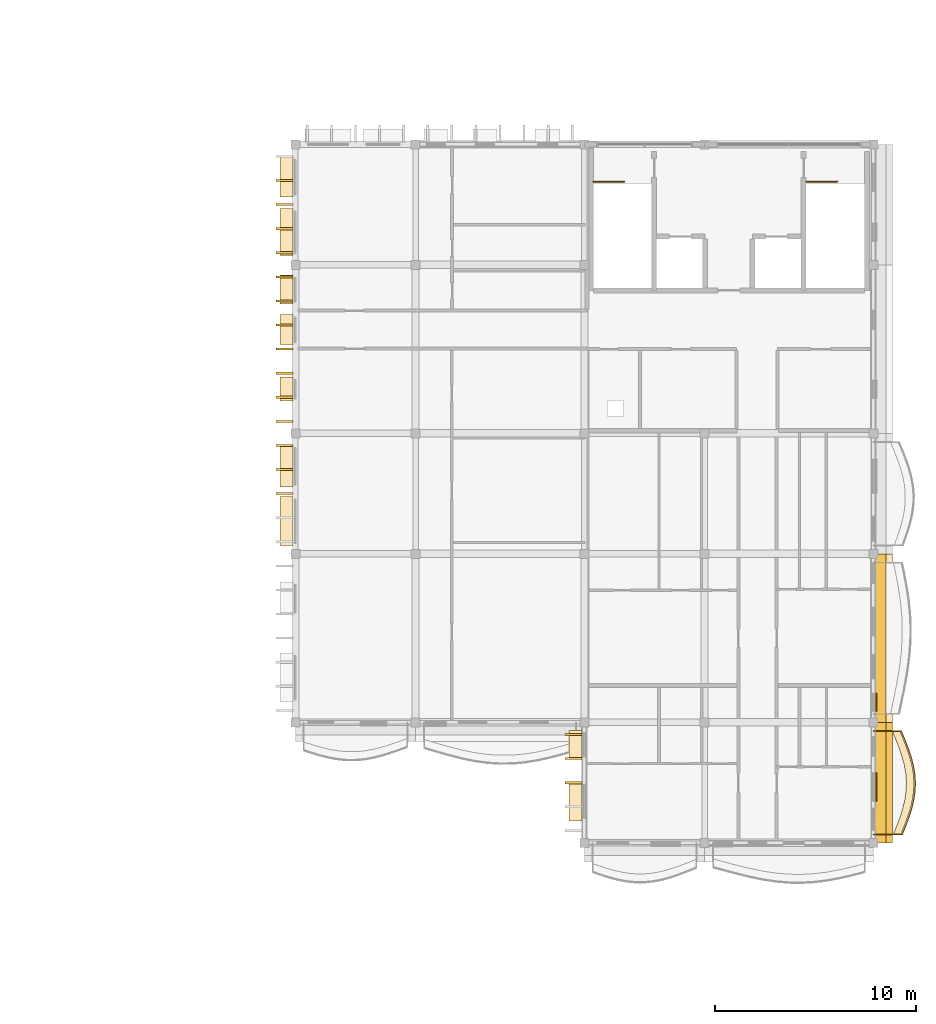
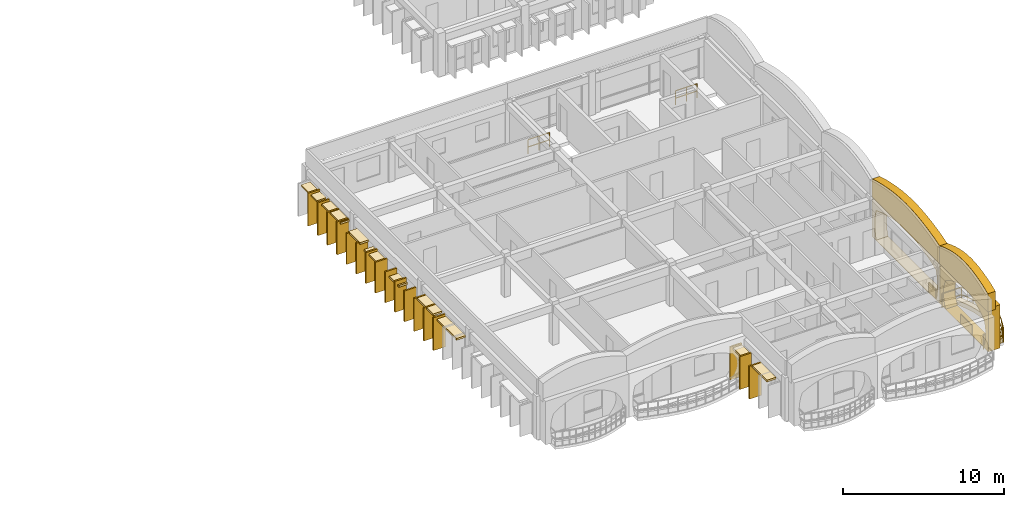
# One storey, part 53 of 59: 33 coverings, 3 railings.
"""IFC4 building model written with IfcOpenShell, lengths in metres."""

from ifc_helpers import new_model, si_unit, direction, frame, origin, origin_2d, place, context, subcontext, project, spatial, polyline, rectangle, outline, extrude, material, layer, layer_set, type_object, element, save


model = new_model("IFC4")

# Units and contexts
model_context = context("Model", 3, precision=1e-05, world=origin(), true_north=direction((0.0, 1.0)))
body_context = subcontext(model_context, "Body", "Model", "MODEL_VIEW")
ifc_project = project(units=[si_unit("LENGTHUNIT", "METRE"), si_unit("AREAUNIT", "SQUARE_METRE"), si_unit("VOLUMEUNIT", "CUBIC_METRE"), si_unit("PLANEANGLEUNIT", "RADIAN"), si_unit("MASSUNIT", "GRAM", prefix="KILO"), si_unit("THERMODYNAMICTEMPERATUREUNIT", "KELVIN")], contexts=[model_context])

# Site, building, storey
site_placement = place(None, origin())
site = spatial("IfcSite", under=ifc_project, at=site_placement, CompositionType="ELEMENT")
building_placement = place(site_placement, origin())
building = spatial("IfcBuilding", under=site, at=building_placement, Name="Thalorik Housing Commons", CompositionType="ELEMENT")
storey_placement = place(building_placement, frame((0.0, 0.0, 27.89990234375)))
storey = spatial("IfcBuildingStorey", under=building, at=storey_placement, Name="L08", CompositionType="ELEMENT", Elevation=27.89990234375)

# Coverings
ifc_material_1 = material(Name="Cobalt blue glazed ceramic facade tile panel", Category="masonry")
ifc_layer_1 = layer(ifc_material_1, 0.06005859375, Name="Cobalt blue glazed ceramic facade tile panel", Category="masonry")
ifc_layer_set_1 = layer_set([ifc_layer_1], Name="Cobalt blue glazed ceramic facade tile panel")
covering_type_1 = type_object("IfcCoveringType", Name="ARC-CLD-BLU-60", PredefinedType="CLADDING", material=ifc_layer_set_1)
covering_1_placement = place(storey_placement, frame((166.947509765625, 44.215087890625, 0.05029296875), z_axis=(0.0, 0.0, 1.0), x_axis=(0.0, 1.0, 0.0)))
element("IfcCovering", 1, at=covering_1_placement, inside=storey, type_object=covering_type_1, Name="L08 De Stijl Recessed Window Spandrel 5112", PredefinedType="CLADDING", context=body_context, shape_type="SweptSolid", body=[
    extrude(rectangle(XDim=0.89990234375, YDim=0.06005859375, at=origin_2d()), origin(), (0.0, 0.0, 1.0), 0.699951171875),
])
ifc_material_2 = material(Name="Precast concrete C40/50", Category="concrete")
ifc_layer_2 = layer(ifc_material_2, 0.85009765625, Name="Precast concrete C40/50", Category="concrete")
ifc_layer_set_2 = layer_set([ifc_layer_2], Name="Precast concrete C40/50")
covering_type_2 = type_object("IfcCoveringType", Name="ARC-CLD-CUSH-850", PredefinedType="CLADDING", material=ifc_layer_set_2)
covering_2_placement = place(storey_placement, frame((167.33740234375, 40.199951171875, 0.0), z_axis=(0.0, 0.0, 1.0), x_axis=(0.0, 1.0, 0.0)))
element("IfcCovering", 2, at=covering_2_placement, inside=storey, type_object=covering_type_2, Name="L08 White Precast Curved Cushion Bay Frame 5109", PredefinedType="CLADDING", context=body_context, shape_type="SweptSolid", body=[
    extrude(outline(polyline([(-3.0, 0.0), (3.0, 0.0), (3.0, 3.300048828125), (-3.0, 3.300048828125), (-3.0, 0.0)]), holes=[polyline([(2.3271484375, 0.02490234375), (2.46923828125, 0.387451171875), (2.554443359375, 0.75), (2.5830078125, 1.112548828125), (2.554443359375, 1.47509765625), (2.46923828125, 1.83740234375), (2.3271484375, 2.199951171875), (1.930908203125, 2.455810546875), (1.5341796875, 2.656494140625), (1.137939453125, 2.819091796875), (0.741455078125, 2.940185546875), (0.344970703125, 3.014892578125), (-0.051513671875, 3.0400390625), (-0.44775390625, 3.014892578125), (-0.84423828125, 2.940185546875), (-1.24072265625, 2.819091796875), (-1.63720703125, 2.656494140625), (-2.03369140625, 2.455810546875), (-2.429931640625, 2.199951171875), (-2.55029296875, 1.83740234375), (-2.62255859375, 1.47509765625), (-2.646484375, 1.112548828125), (-2.62255859375, 0.75), (-2.55029296875, 0.387451171875), (-2.429931640625, 0.02490234375), (2.3271484375, 0.02490234375)])]), frame((0.0, 0.425048828125, 0.0), z_axis=(0.0, -1.0, 0.0), x_axis=(1.0, 0.0, 0.0)), (0.0, 0.0, 1.0), 0.85009765625),
])
covering_3_placement = place(storey_placement, frame((167.33740234375, 47.39990234375, 0.0), z_axis=(0.0, 0.0, 1.0), x_axis=(0.0, 1.0, 0.0)))
element("IfcCovering", 3, at=covering_3_placement, inside=storey, type_object=covering_type_2, Name="L08 White Precast Curved Cushion Bay Frame 5111", PredefinedType="CLADDING", context=body_context, shape_type="SweptSolid", body=[
    extrude(outline(polyline([(-4.199951171875, 0.0), (4.199951171875, 0.0), (4.199951171875, 3.300048828125), (-4.199951171875, 3.300048828125), (-4.199951171875, 0.0)]), holes=[polyline([(3.77294921875, 0.02490234375), (3.863037109375, 0.399169921875), (3.917236328125, 0.773193359375), (3.935302734375, 1.1474609375), (3.917236328125, 1.521728515625), (3.863037109375, 1.895751953125), (3.77294921875, 2.27001953125), (3.151611328125, 2.50439453125), (2.530029296875, 2.6884765625), (1.908447265625, 2.837646484375), (1.287109375, 2.948486328125), (0.66552734375, 3.016845703125), (0.0439453125, 3.0400390625), (-0.577392578125, 3.016845703125), (-1.198974609375, 2.948486328125), (-1.820556640625, 2.837646484375), (-2.44189453125, 2.6884765625), (-3.0634765625, 2.50439453125), (-3.68505859375, 2.27001953125), (-3.793701171875, 1.895751953125), (-3.85888671875, 1.521728515625), (-3.880615234375, 1.1474609375), (-3.85888671875, 0.773193359375), (-3.793701171875, 0.399169921875), (-3.68505859375, 0.02490234375), (3.77294921875, 0.02490234375)])]), frame((0.0, 0.425048828125, 0.0), z_axis=(0.0, -1.0, 0.0), x_axis=(1.0, 0.0, 0.0)), (0.0, 0.0, 1.0), 0.85009765625),
])
ifc_layer_3 = layer(ifc_material_2, 0.85009765625, Name="Precast concrete C40/50", Category="concrete")
ifc_layer_set_3 = layer_set([ifc_layer_3], Name="Precast concrete C40/50")
covering_type_3 = type_object("IfcCoveringType", Name="ARC-CLD-FIN-850", PredefinedType="CLADDING", material=ifc_layer_set_3)
for number, where, z_axis, x_axis, name in (
    (4, (137.46240234375, 70.199951171875, 0.0400390625), (0.0, 0.0, 1.0), (0.0, -1.0, 0.0), "L08 Courtyard Precast Vertical Brise-Soleil Fin 5062"),
    (5, (137.46240234375, 69.0, 0.0400390625), (0.0, 0.0, 1.0), (0.0, -1.0, 0.0), "L08 Courtyard Precast Vertical Brise-Soleil Fin 5063"),
    (6, (137.46240234375, 67.800048828125, 0.0400390625), (0.0, 0.0, 1.0), (0.0, -1.0, 0.0), "L08 Courtyard Precast Vertical Brise-Soleil Fin 5064"),
    (7, (137.46240234375, 66.60009765625, 0.0400390625), (0.0, 0.0, 1.0), (0.0, -1.0, 0.0), "L08 Courtyard Precast Vertical Brise-Soleil Fin 5065"),
):
    element("IfcCovering", number, at=place(storey_placement, frame(where, z_axis=z_axis, x_axis=x_axis)), inside=storey, type_object=covering_type_3, Name=name, PredefinedType="CLADDING", context=body_context, shape_type="SweptSolid", body=[
        extrude(rectangle(XDim=0.110107421875, YDim=0.85009765625, at=origin_2d()), origin(), (0.0, 0.0, 1.0), 2.4951171875),
    ])
for number, where, z_axis, x_axis, name in (
    (8, (137.46240234375, 65.39990234375, 0.0400390625), (0.0, 0.0, 1.0), (0.0, -1.0, 0.0), "L08 Courtyard Precast Vertical Brise-Soleil Fin 5068"),
    (9, (137.46240234375, 64.199951171875, 0.0400390625), (0.0, 0.0, 1.0), (0.0, -1.0, 0.0), "L08 Courtyard Precast Vertical Brise-Soleil Fin 5069"),
    (10, (137.46240234375, 63.0, 0.0400390625), (0.0, 0.0, 1.0), (0.0, -1.0, 0.0), "L08 Courtyard Precast Vertical Brise-Soleil Fin 5070"),
    (11, (137.46240234375, 61.800048828125, 0.0400390625), (0.0, 0.0, 1.0), (0.0, -1.0, 0.0), "L08 Courtyard Precast Vertical Brise-Soleil Fin 5071"),
    (12, (137.46240234375, 60.60009765625, 0.0400390625), (0.0, 0.0, 1.0), (0.0, -1.0, 0.0), "L08 Courtyard Precast Vertical Brise-Soleil Fin 5072"),
    (13, (137.46240234375, 59.39990234375, 0.0400390625), (0.0, 0.0, 1.0), (0.0, -1.0, 0.0), "L08 Courtyard Precast Vertical Brise-Soleil Fin 5073"),
    (14, (137.46240234375, 58.199951171875, 0.0400390625), (0.0, 0.0, 1.0), (0.0, -1.0, 0.0), "L08 Courtyard Precast Vertical Brise-Soleil Fin 5074"),
):
    element("IfcCovering", number, at=place(storey_placement, frame(where, z_axis=z_axis, x_axis=x_axis)), inside=storey, type_object=covering_type_3, Name=name, PredefinedType="CLADDING", context=body_context, shape_type="SweptSolid", body=[
        extrude(rectangle(XDim=0.110107421875, YDim=0.85009765625, at=origin_2d()), origin(), (0.0, 0.0, 1.0), 2.344970703125),
    ])
for number, where, z_axis, x_axis, name in (
    (15, (137.46240234375, 57.0, 0.0400390625), (0.0, 0.0, 1.0), (0.0, -1.0, 0.0), "L08 Courtyard Precast Vertical Brise-Soleil Fin 5078"),
    (16, (137.46240234375, 55.800048828125, 0.0400390625), (0.0, 0.0, 1.0), (0.0, -1.0, 0.0), "L08 Courtyard Precast Vertical Brise-Soleil Fin 5079"),
    (17, (137.46240234375, 54.60009765625, 0.0400390625), (0.0, 0.0, 1.0), (0.0, -1.0, 0.0), "L08 Courtyard Precast Vertical Brise-Soleil Fin 5080"),
    (18, (151.862548828125, 42.60009765625, 0.0400390625), (0.0, 0.0, 1.0), (0.0, -1.0, 0.0), "L08 Courtyard Precast Vertical Brise-Soleil Fin 5098"),
    (19, (151.862548828125, 41.39990234375, 0.0400390625), (0.0, 0.0, 1.0), (0.0, -1.0, 0.0), "L08 Courtyard Precast Vertical Brise-Soleil Fin 5099"),
    (20, (151.862548828125, 40.199951171875, 0.0400390625), (0.0, 0.0, 1.0), (0.0, -1.0, 0.0), "L08 Courtyard Precast Vertical Brise-Soleil Fin 5100"),
):
    element("IfcCovering", number, at=place(storey_placement, frame(where, z_axis=z_axis, x_axis=x_axis)), inside=storey, type_object=covering_type_3, Name=name, PredefinedType="CLADDING", context=body_context, shape_type="SweptSolid", body=[
        extrude(rectangle(XDim=0.110107421875, YDim=0.85009765625, at=origin_2d()), origin(), (0.0, 0.0, 1.0), 2.4951171875),
    ])
ifc_layer_4 = layer(ifc_material_2, 0.64990234375, Name="Precast concrete C40/50", Category="concrete")
ifc_layer_set_4 = layer_set([ifc_layer_4], Name="Precast concrete C40/50")
covering_type_4 = type_object("IfcCoveringType", Name="ARC-CLD-HOOD-650", PredefinedType="CLADDING", material=ifc_layer_set_4)
covering_4_placement = place(storey_placement, frame((137.5625, 70.3701171875, 2.240234375), z_axis=(0.0, 0.0, 1.0), x_axis=(0.0, -1.0, 0.0)))
element("IfcCovering", 21, at=covering_4_placement, inside=storey, type_object=covering_type_4, Name="L08 Courtyard Precast Window Sun-Hood 5066", PredefinedType="CLADDING", context=body_context, shape_type="SweptSolid", body=[
    extrude(rectangle(XDim=1.989990234375, YDim=0.64990234375, at=origin_2d()), origin(), (0.0, 0.0, 1.0), 0.139892578125),
])
covering_5_placement = place(storey_placement, frame((137.5625, 67.6298828125, 2.34033203125), z_axis=(0.0, 0.0, 1.0), x_axis=(0.0, -1.0, 0.0)))
element("IfcCovering", 22, at=covering_5_placement, inside=storey, type_object=covering_type_4, Name="L08 Courtyard Precast Window Sun-Hood 5067", PredefinedType="CLADDING", context=body_context, shape_type="SweptSolid", body=[
    extrude(rectangle(XDim=2.340087890625, YDim=0.64990234375, at=origin_2d()), origin(), (0.0, 0.0, 1.0), 0.139892578125),
])
covering_6_placement = place(storey_placement, frame((137.5625, 64.764892578125, 2.275390625), z_axis=(0.0, 0.0, 1.0), x_axis=(0.0, -1.0, 0.0)))
element("IfcCovering", 23, at=covering_6_placement, inside=storey, type_object=covering_type_4, Name="L08 Courtyard Precast Window Sun-Hood 5075", PredefinedType="CLADDING", context=body_context, shape_type="SweptSolid", body=[
    extrude(rectangle(XDim=1.43994140625, YDim=0.64990234375, at=origin_2d()), origin(), (0.0, 0.0, 1.0), 0.139892578125),
])
covering_7_placement = place(storey_placement, frame((137.5625, 62.77001953125, 2.09033203125), z_axis=(0.0, 0.0, 1.0), x_axis=(0.0, -1.0, 0.0)))
element("IfcCovering", 24, at=covering_7_placement, inside=storey, type_object=covering_type_4, Name="L08 Courtyard Precast Window Sun-Hood 5076", PredefinedType="CLADDING", context=body_context, shape_type="SweptSolid", body=[
    extrude(rectangle(XDim=1.489990234375, YDim=0.64990234375, at=origin_2d()), origin(), (0.0, 0.0, 1.0), 0.139892578125),
])
covering_8_placement = place(storey_placement, frame((137.5625, 59.804931640625, 1.93994140625), z_axis=(0.0, 0.0, 1.0), x_axis=(0.0, -1.0, 0.0)))
element("IfcCovering", 25, at=covering_8_placement, inside=storey, type_object=covering_type_4, Name="L08 Courtyard Precast Window Sun-Hood 5077", PredefinedType="CLADDING", context=body_context, shape_type="SweptSolid", body=[
    extrude(rectangle(XDim=1.18994140625, YDim=0.64990234375, at=origin_2d()), origin(), (0.0, 0.0, 1.0), 0.139892578125),
])
covering_9_placement = place(storey_placement, frame((137.5625, 55.969970703125, 2.39013671875), z_axis=(0.0, 0.0, 1.0), x_axis=(0.0, -1.0, 0.0)))
element("IfcCovering", 26, at=covering_9_placement, inside=storey, type_object=covering_type_4, Name="L08 Courtyard Precast Window Sun-Hood 5083", PredefinedType="CLADDING", context=body_context, shape_type="SweptSolid", body=[
    extrude(rectangle(XDim=2.090087890625, YDim=0.64990234375, at=origin_2d()), origin(), (0.0, 0.0, 1.0), 0.139892578125),
])
covering_10_placement = place(storey_placement, frame((137.5625, 53.22998046875, 2.2900390625), z_axis=(0.0, 0.0, 1.0), x_axis=(0.0, -1.0, 0.0)))
element("IfcCovering", 27, at=covering_10_placement, inside=storey, type_object=covering_type_4, Name="L08 Courtyard Precast Window Sun-Hood 5084", PredefinedType="CLADDING", context=body_context, shape_type="SweptSolid", body=[
    extrude(rectangle(XDim=2.43994140625, YDim=0.64990234375, at=origin_2d()), origin(), (0.0, 0.0, 1.0), 0.139892578125),
])
covering_11_placement = place(storey_placement, frame((151.96240234375, 42.080078125, 2.2900390625), z_axis=(0.0, 0.0, 1.0), x_axis=(0.0, -1.0, 0.0)))
element("IfcCovering", 28, at=covering_11_placement, inside=storey, type_object=covering_type_4, Name="L08 Courtyard Precast Window Sun-Hood 5103", PredefinedType="CLADDING", context=body_context, shape_type="SweptSolid", body=[
    extrude(rectangle(XDim=1.43994140625, YDim=0.64990234375, at=origin_2d()), origin(), (0.0, 0.0, 1.0), 0.139892578125),
])
covering_12_placement = place(storey_placement, frame((151.96240234375, 39.27001953125, 2.39013671875), z_axis=(0.0, 0.0, 1.0), x_axis=(0.0, -1.0, 0.0)))
element("IfcCovering", 29, at=covering_12_placement, inside=storey, type_object=covering_type_4, Name="L08 Courtyard Precast Window Sun-Hood 5104", PredefinedType="CLADDING", context=body_context, shape_type="SweptSolid", body=[
    extrude(rectangle(XDim=1.93994140625, YDim=0.64990234375, at=origin_2d()), origin(), (0.0, 0.0, 1.0), 0.139892578125),
])
ifc_layer_5 = layer(ifc_material_2, 0.550048828125, Name="Precast concrete C40/50", Category="concrete")
ifc_layer_set_5 = layer_set([ifc_layer_5], Name="Precast concrete C40/50")
covering_type_5 = type_object("IfcCoveringType", Name="ARC-CLD-PAR-550", PredefinedType="CLADDING", material=ifc_layer_set_5)
covering_13_placement = place(storey_placement, frame((167.14990234375, 40.199951171875, 3.06005859375), z_axis=(0.0, 0.0, 1.0), x_axis=(0.0, 1.0, 0.0)))
element("IfcCovering", 30, at=covering_13_placement, inside=storey, type_object=covering_type_5, Name="L08 Block D Scalloped White Precast Parapet Crest 5123", PredefinedType="CLADDING", context=body_context, shape_type="SweptSolid", body=[
    extrude(outline(polyline([(-3.0, 0.0), (3.0, 0.0), (3.0, 1.3798828125), (2.5, 1.58154296875), (2.0, 1.744384765625), (1.5, 1.877685546875), (1.0, 1.977294921875), (0.5, 2.0390625), (0.0, 2.06005859375), (-0.5, 2.0390625), (-1.0, 1.977294921875), (-1.5, 1.877685546875), (-2.0, 1.744384765625), (-2.5, 1.58154296875), (-3.0, 1.3798828125), (-3.0, 0.0)])), frame((0.0, 0.27490234375, 0.0), z_axis=(0.0, -1.0, 0.0), x_axis=(1.0, 0.0, 0.0)), (0.0, 0.0, 1.0), 0.550048828125),
])
covering_14_placement = place(storey_placement, frame((167.14990234375, 47.39990234375, 3.06005859375), z_axis=(0.0, 0.0, 1.0), x_axis=(0.0, 1.0, 0.0)))
element("IfcCovering", 31, at=covering_14_placement, inside=storey, type_object=covering_type_5, Name="L08 Block D Scalloped White Precast Parapet Crest 5124", PredefinedType="CLADDING", context=body_context, shape_type="SweptSolid", body=[
    extrude(outline(polyline([(-4.199951171875, 0.0), (4.199951171875, 0.0), (4.199951171875, 1.3798828125), (3.5, 1.58154296875), (2.800048828125, 1.744384765625), (2.10009765625, 1.877685546875), (1.39990234375, 1.977294921875), (0.699951171875, 2.0390625), (0.0, 2.06005859375), (-0.699951171875, 2.0390625), (-1.39990234375, 1.977294921875), (-2.10009765625, 1.877685546875), (-2.800048828125, 1.744384765625), (-3.5, 1.58154296875), (-4.199951171875, 1.3798828125), (-4.199951171875, 0.0)])), frame((0.0, 0.27490234375, 0.0), z_axis=(0.0, -1.0, 0.0), x_axis=(1.0, 0.0, 0.0)), (0.0, 0.0, 1.0), 0.550048828125),
])
ifc_material_3 = material(Name="Terracotta red mineral fibre-cement panel", Category="masonry")
ifc_layer_6 = layer(ifc_material_3, 0.054931640625, Name="Terracotta red mineral fibre-cement panel", Category="masonry")
ifc_layer_set_6 = layer_set([ifc_layer_6], Name="Terracotta red mineral fibre-cement panel")
covering_type_6 = type_object("IfcCoveringType", Name="ARC-CLD-RED-55", PredefinedType="CLADDING", material=ifc_layer_set_6)
covering_15_placement = place(storey_placement, frame((166.945068359375, 39.982177734375, 0.05029296875), z_axis=(0.0, 0.0, 1.0), x_axis=(0.0, 1.0, 0.0)))
element("IfcCovering", 32, at=covering_15_placement, inside=storey, type_object=covering_type_6, Name="L08 De Stijl Recessed Window Spandrel 5110", PredefinedType="CLADDING", context=body_context, shape_type="SweptSolid", body=[
    extrude(rectangle(XDim=1.419921875, YDim=0.054931640625, at=origin_2d()), origin(), (0.0, 0.0, 1.0), 0.699951171875),
])
ifc_material_4 = material(Name="Planted vegetated substrate and terracotta trough", Category="masonry")
ifc_layer_7 = layer(ifc_material_4, 0.340087890625, Name="Planted vegetated substrate and terracotta trough", Category="masonry")
ifc_layer_set_7 = layer_set([ifc_layer_7], Name="Planted vegetated substrate and terracotta trough")
covering_type_7 = type_object("IfcCoveringType", Name="ARC-COV-PLANTER", PredefinedType="USERDEFINED", material=ifc_layer_set_7)
covering_16_placement = place(storey_placement, origin())
element("IfcCovering", 33, at=covering_16_placement, inside=storey, type_object=covering_type_7, Name="L08 Balcony Slab-Edge Planted Trough 5696", ObjectType="PLANTER", PredefinedType="USERDEFINED", context=body_context, shape_type="SweptSolid", body=[
    extrude(outline(polyline([(168.17626953125, 37.6201171875), (168.35009765625, 38.050048828125), (168.510009765625, 38.47998046875), (168.6455078125, 38.909912109375), (168.747314453125, 39.340087890625), (168.808837890625, 39.77001953125), (168.825927734375, 40.199951171875), (168.79736328125, 40.6298828125), (168.724609375, 41.06005859375), (168.612548828125, 41.489990234375), (168.468017578125, 41.919921875), (168.300537109375, 42.35009765625), (168.12060546875, 42.780029296875), (167.74072265625, 42.780029296875), (167.92041015625, 42.35009765625), (168.088134765625, 41.919921875), (168.232421875, 41.489990234375), (168.3447265625, 41.06005859375), (168.417236328125, 40.6298828125), (168.44580078125, 40.199951171875), (168.4287109375, 39.77001953125), (168.3671875, 39.340087890625), (168.265380859375, 38.909912109375), (168.130126953125, 38.47998046875), (167.97021484375, 38.050048828125), (167.79638671875, 37.6201171875), (168.17626953125, 37.6201171875)])), origin(), (0.0, 0.0, 1.0), 0.340087890625),
])

# Railings
ifc_material_5 = material(Name="Steel S355", Category="steel")
railing_type_1 = type_object("IfcRailingType", Name="ARC-RL-BAL-112", PredefinedType="BALUSTRADE", material=ifc_material_5)
railing_1_placement = place(storey_placement, frame((166.800048828125, 37.6201171875, 0.0)))
element("IfcRailing", 34, at=railing_1_placement, inside=storey, type_object=railing_type_1, Name="L08 Cushion Balcony Guardrail 380", PredefinedType="BALUSTRADE", context=body_context, shape_type="SweptSolid", body=[
    extrude(rectangle(XDim=0.050048828125, YDim=0.050048828125, at=origin_2d()), frame((0.0, 0.0, 1.09521484375), z_axis=(1.0, 0.0, 0.0), x_axis=(0.0, 1.0, 0.0)), (0.0, 0.0, 1.0), 1.4462890625),
    extrude(rectangle(XDim=0.050048828125, YDim=0.050048828125, at=origin_2d()), frame((0.0, 0.0, 0.53515625), z_axis=(1.0, 0.0, 0.0), x_axis=(0.0, 1.0, 0.0)), (0.0, 0.0, 1.0), 1.4462890625),
    extrude(rectangle(XDim=0.050048828125, YDim=0.050048828125, at=origin_2d()), frame((1.4462890625, 0.0, 1.09521484375), z_axis=(0.374837314047, 0.927090603985, 0.0), x_axis=(-0.927090603985, 0.374837314047, 0.0)), (0.0, 0.0, 1.0), 0.463623046875),
    extrude(rectangle(XDim=0.050048828125, YDim=0.050048828125, at=origin_2d()), frame((1.4462890625, 0.0, 0.53515625), z_axis=(0.374837314047, 0.927090603985, 0.0), x_axis=(-0.927090603985, 0.374837314047, 0.0)), (0.0, 0.0, 1.0), 0.463623046875),
    extrude(rectangle(XDim=0.050048828125, YDim=0.050048828125, at=origin_2d()), frame((1.6201171875, 0.429931640625, 1.09521484375), z_axis=(0.348614114269, 0.93726634386, 0.0), x_axis=(-0.93726634386, 0.348614114269, 0.0)), (0.0, 0.0, 1.0), 0.458740234375),
    extrude(rectangle(XDim=0.050048828125, YDim=0.050048828125, at=origin_2d()), frame((1.6201171875, 0.429931640625, 0.53515625), z_axis=(0.348614114269, 0.93726634386, 0.0), x_axis=(-0.93726634386, 0.348614114269, 0.0)), (0.0, 0.0, 1.0), 0.458740234375),
    extrude(rectangle(XDim=0.050048828125, YDim=0.050048828125, at=origin_2d()), frame((1.780029296875, 0.85986328125, 1.09521484375), z_axis=(0.300094208559, 0.953909569084, 0.0), x_axis=(-0.953909569084, 0.300094208559, 0.0)), (0.0, 0.0, 1.0), 0.45068359375),
    extrude(rectangle(XDim=0.050048828125, YDim=0.050048828125, at=origin_2d()), frame((1.780029296875, 0.85986328125, 0.53515625), z_axis=(0.300094208559, 0.953909569084, 0.0), x_axis=(-0.953909569084, 0.300094208559, 0.0)), (0.0, 0.0, 1.0), 0.45068359375),
    extrude(rectangle(XDim=0.050048828125, YDim=0.050048828125, at=origin_2d()), frame((1.915283203125, 1.289794921875, 1.09521484375), z_axis=(0.230301239443, 0.973119385847, 0.0), x_axis=(-0.973119385847, 0.230301239443, 0.0)), (0.0, 0.0, 1.0), 0.442138671875),
    extrude(rectangle(XDim=0.050048828125, YDim=0.050048828125, at=origin_2d()), frame((1.915283203125, 1.289794921875, 0.53515625), z_axis=(0.230301239443, 0.973119385847, 0.0), x_axis=(-0.973119385847, 0.230301239443, 0.0)), (0.0, 0.0, 1.0), 0.442138671875),
    extrude(rectangle(XDim=0.050048828125, YDim=0.050048828125, at=origin_2d()), frame((2.01708984375, 1.719970703125, 1.09521484375), z_axis=(0.142208234594, 0.989836763317, 0.0), x_axis=(-0.989836763317, 0.142208234594, 0.0)), (0.0, 0.0, 1.0), 0.434326171875),
    extrude(rectangle(XDim=0.050048828125, YDim=0.050048828125, at=origin_2d()), frame((2.01708984375, 1.719970703125, 0.53515625), z_axis=(0.142208234594, 0.989836763317, 0.0), x_axis=(-0.989836763317, 0.142208234594, 0.0)), (0.0, 0.0, 1.0), 0.434326171875),
    extrude(rectangle(XDim=0.050048828125, YDim=0.050048828125, at=origin_2d()), frame((2.078857421875, 2.14990234375, 1.09521484375), z_axis=(0.039718775053, 0.999210898113, 0.0), x_axis=(-0.999210898113, 0.039718775053, 0.0)), (0.0, 0.0, 1.0), 0.43017578125),
    extrude(rectangle(XDim=0.050048828125, YDim=0.050048828125, at=origin_2d()), frame((2.078857421875, 2.14990234375, 0.53515625), z_axis=(0.039718775053, 0.999210898113, 0.0), x_axis=(-0.999210898113, 0.039718775053, 0.0)), (0.0, 0.0, 1.0), 0.43017578125),
    extrude(rectangle(XDim=0.050048828125, YDim=0.050048828125, at=origin_2d()), frame((2.095947265625, 2.579833984375, 1.09521484375), z_axis=(-0.066857455644, 0.997762537193, 0.0), x_axis=(-0.997762537193, -0.066857455644, 0.0)), (0.0, 0.0, 1.0), 0.430908203125),
    extrude(rectangle(XDim=0.050048828125, YDim=0.050048828125, at=origin_2d()), frame((2.095947265625, 2.579833984375, 0.53515625), z_axis=(-0.066857455644, 0.997762537193, 0.0), x_axis=(-0.997762537193, -0.066857455644, 0.0)), (0.0, 0.0, 1.0), 0.430908203125),
    extrude(rectangle(XDim=0.050048828125, YDim=0.050048828125, at=origin_2d()), frame((2.067138671875, 3.009765625, 1.09521484375), z_axis=(-0.166213765113, 0.98608974454, 0.0), x_axis=(-0.98608974454, -0.166213765113, 0.0)), (0.0, 0.0, 1.0), 0.436279296875),
    extrude(rectangle(XDim=0.050048828125, YDim=0.050048828125, at=origin_2d()), frame((2.067138671875, 3.009765625, 0.53515625), z_axis=(-0.166213765113, 0.98608974454, 0.0), x_axis=(-0.98608974454, -0.166213765113, 0.0)), (0.0, 0.0, 1.0), 0.436279296875),
    extrude(rectangle(XDim=0.050048828125, YDim=0.050048828125, at=origin_2d()), frame((1.99462890625, 3.43994140625, 1.09521484375), z_axis=(-0.252220570388, 0.967669770052, 0.0), x_axis=(-0.967669770052, -0.252220570388, 0.0)), (0.0, 0.0, 1.0), 0.4443359375),
    extrude(rectangle(XDim=0.050048828125, YDim=0.050048828125, at=origin_2d()), frame((1.99462890625, 3.43994140625, 0.53515625), z_axis=(-0.252220570388, 0.967669770052, 0.0), x_axis=(-0.967669770052, -0.252220570388, 0.0)), (0.0, 0.0, 1.0), 0.4443359375),
    extrude(rectangle(XDim=0.050048828125, YDim=0.050048828125, at=origin_2d()), frame((1.882568359375, 3.869873046875, 1.09521484375), z_axis=(-0.318648897539, 0.947872818524, 0.0), x_axis=(-0.947872818524, -0.318648897539, 0.0)), (0.0, 0.0, 1.0), 0.45361328125),
    extrude(rectangle(XDim=0.050048828125, YDim=0.050048828125, at=origin_2d()), frame((1.882568359375, 3.869873046875, 0.53515625), z_axis=(-0.318648897539, 0.947872818524, 0.0), x_axis=(-0.947872818524, -0.318648897539, 0.0)), (0.0, 0.0, 1.0), 0.45361328125),
    extrude(rectangle(XDim=0.050048828125, YDim=0.050048828125, at=origin_2d()), frame((1.738037109375, 4.2998046875, 1.09521484375), z_axis=(-0.362803539532, 0.931865651102, 0.0), x_axis=(-0.931865651102, -0.362803539532, 0.0)), (0.0, 0.0, 1.0), 0.461669921875),
    extrude(rectangle(XDim=0.050048828125, YDim=0.050048828125, at=origin_2d()), frame((1.738037109375, 4.2998046875, 0.53515625), z_axis=(-0.362803539532, 0.931865651102, 0.0), x_axis=(-0.931865651102, -0.362803539532, 0.0)), (0.0, 0.0, 1.0), 0.461669921875),
    extrude(rectangle(XDim=0.050048828125, YDim=0.050048828125, at=origin_2d()), frame((1.570556640625, 4.72998046875, 1.09521484375), z_axis=(-0.386065526425, 0.922471359613, 0.0), x_axis=(-0.922471359613, -0.386065526425, 0.0)), (0.0, 0.0, 1.0), 0.466064453125),
    extrude(rectangle(XDim=0.050048828125, YDim=0.050048828125, at=origin_2d()), frame((1.570556640625, 4.72998046875, 0.53515625), z_axis=(-0.386065526425, 0.922471359613, 0.0), x_axis=(-0.922471359613, -0.386065526425, 0.0)), (0.0, 0.0, 1.0), 0.466064453125),
    extrude(rectangle(XDim=0.050048828125, YDim=0.050048828125, at=origin_2d()), frame((1.390625, 5.159912109375, 1.09521484375), z_axis=(-1.0, 0.0, 0.0), x_axis=(0.0, -1.0, 0.0)), (0.0, 0.0, 1.0), 1.390625),
    extrude(rectangle(XDim=0.050048828125, YDim=0.050048828125, at=origin_2d()), frame((1.390625, 5.159912109375, 0.53515625), z_axis=(-1.0, 0.0, 0.0), x_axis=(0.0, -1.0, 0.0)), (0.0, 0.0, 1.0), 1.390625),
    extrude(rectangle(XDim=0.0419921875, YDim=0.0419921875, at=origin_2d()), origin(), (0.0, 0.0, 1.0), 1.070068359375),
    extrude(rectangle(XDim=0.0419921875, YDim=0.0419921875, at=origin_2d()), frame((1.4462890625, 0.0, 0.0)), (0.0, 0.0, 1.0), 1.070068359375),
    extrude(rectangle(XDim=0.0419921875, YDim=0.0419921875, at=origin_2d()), frame((1.6201171875, 0.429931640625, 0.0)), (0.0, 0.0, 1.0), 1.070068359375),
    extrude(rectangle(XDim=0.0419921875, YDim=0.0419921875, at=origin_2d()), frame((1.780029296875, 0.85986328125, 0.0)), (0.0, 0.0, 1.0), 1.070068359375),
    extrude(rectangle(XDim=0.0419921875, YDim=0.0419921875, at=origin_2d()), frame((1.915283203125, 1.289794921875, 0.0)), (0.0, 0.0, 1.0), 1.070068359375),
    extrude(rectangle(XDim=0.0419921875, YDim=0.0419921875, at=origin_2d()), frame((2.01708984375, 1.719970703125, 0.0)), (0.0, 0.0, 1.0), 1.070068359375),
    extrude(rectangle(XDim=0.0419921875, YDim=0.0419921875, at=origin_2d()), frame((2.078857421875, 2.14990234375, 0.0)), (0.0, 0.0, 1.0), 1.070068359375),
    extrude(rectangle(XDim=0.0419921875, YDim=0.0419921875, at=origin_2d()), frame((2.095947265625, 2.579833984375, 0.0)), (0.0, 0.0, 1.0), 1.070068359375),
    extrude(rectangle(XDim=0.0419921875, YDim=0.0419921875, at=origin_2d()), frame((2.067138671875, 3.009765625, 0.0)), (0.0, 0.0, 1.0), 1.070068359375),
    extrude(rectangle(XDim=0.0419921875, YDim=0.0419921875, at=origin_2d()), frame((1.99462890625, 3.43994140625, 0.0)), (0.0, 0.0, 1.0), 1.070068359375),
    extrude(rectangle(XDim=0.0419921875, YDim=0.0419921875, at=origin_2d()), frame((1.882568359375, 3.869873046875, 0.0)), (0.0, 0.0, 1.0), 1.070068359375),
    extrude(rectangle(XDim=0.0419921875, YDim=0.0419921875, at=origin_2d()), frame((1.738037109375, 4.2998046875, 0.0)), (0.0, 0.0, 1.0), 1.070068359375),
    extrude(rectangle(XDim=0.0419921875, YDim=0.0419921875, at=origin_2d()), frame((1.570556640625, 4.72998046875, 0.0)), (0.0, 0.0, 1.0), 1.070068359375),
    extrude(rectangle(XDim=0.0419921875, YDim=0.0419921875, at=origin_2d()), frame((1.390625, 5.159912109375, 0.0)), (0.0, 0.0, 1.0), 1.070068359375),
    extrude(rectangle(XDim=0.0419921875, YDim=0.0419921875, at=origin_2d()), frame((0.0, 5.159912109375, 0.0)), (0.0, 0.0, 1.0), 1.070068359375),
])
railing_type_2 = type_object("IfcRailingType", Name="ARC-RL-STR-GRD110", PredefinedType="GUARDRAIL", material=ifc_material_5)
railing_2_placement = place(storey_placement, frame((152.85009765625, 70.14990234375, 0.0)))
element("IfcRailing", 35, at=railing_2_placement, inside=storey, type_object=railing_type_2, Name="L08 ST-D1 top well guard 1", PredefinedType="GUARDRAIL", context=body_context, shape_type="SweptSolid", body=[
    extrude(rectangle(XDim=0.048095703125, YDim=0.048095703125, at=origin_2d()), frame((0.0, 0.0, 1.076171875), z_axis=(1.0, 0.0, 0.0), x_axis=(0.0, 1.0, 0.0)), (0.0, 0.0, 1.0), 1.5498046875),
    extrude(rectangle(XDim=0.048095703125, YDim=0.048095703125, at=origin_2d()), frame((0.0, 0.0, 0.52587890625), z_axis=(1.0, 0.0, 0.0), x_axis=(0.0, 1.0, 0.0)), (0.0, 0.0, 1.0), 1.5498046875),
    extrude(rectangle(XDim=0.0419921875, YDim=0.0419921875, at=origin_2d()), origin(), (0.0, 0.0, 1.0), 1.052001953125),
    extrude(rectangle(XDim=0.0419921875, YDim=0.0419921875, at=origin_2d()), frame((0.77490234375, 0.0, 0.0)), (0.0, 0.0, 1.0), 1.052001953125),
    extrude(rectangle(XDim=0.0419921875, YDim=0.0419921875, at=origin_2d()), frame((1.5498046875, 0.0, 0.0)), (0.0, 0.0, 1.0), 1.052001953125),
])
railing_3_placement = place(storey_placement, frame((163.449951171875, 70.14990234375, 0.0)))
element("IfcRailing", 36, at=railing_3_placement, inside=storey, type_object=railing_type_2, Name="L08 ST-D2 top well guard 1", PredefinedType="GUARDRAIL", context=body_context, shape_type="SweptSolid", body=[
    extrude(rectangle(XDim=0.048095703125, YDim=0.048095703125, at=origin_2d()), frame((0.0, 0.0, 1.076171875), z_axis=(1.0, 0.0, 0.0), x_axis=(0.0, 1.0, 0.0)), (0.0, 0.0, 1.0), 1.550048828125),
    extrude(rectangle(XDim=0.048095703125, YDim=0.048095703125, at=origin_2d()), frame((0.0, 0.0, 0.52587890625), z_axis=(1.0, 0.0, 0.0), x_axis=(0.0, 1.0, 0.0)), (0.0, 0.0, 1.0), 1.550048828125),
    extrude(rectangle(XDim=0.0419921875, YDim=0.0419921875, at=origin_2d()), origin(), (0.0, 0.0, 1.0), 1.052001953125),
    extrude(rectangle(XDim=0.0419921875, YDim=0.0419921875, at=origin_2d()), frame((0.77490234375, 0.0, 0.0)), (0.0, 0.0, 1.0), 1.052001953125),
    extrude(rectangle(XDim=0.0419921875, YDim=0.0419921875, at=origin_2d()), frame((1.550048828125, 0.0, 0.0)), (0.0, 0.0, 1.0), 1.052001953125),
])

save(model, "model.ifc")
